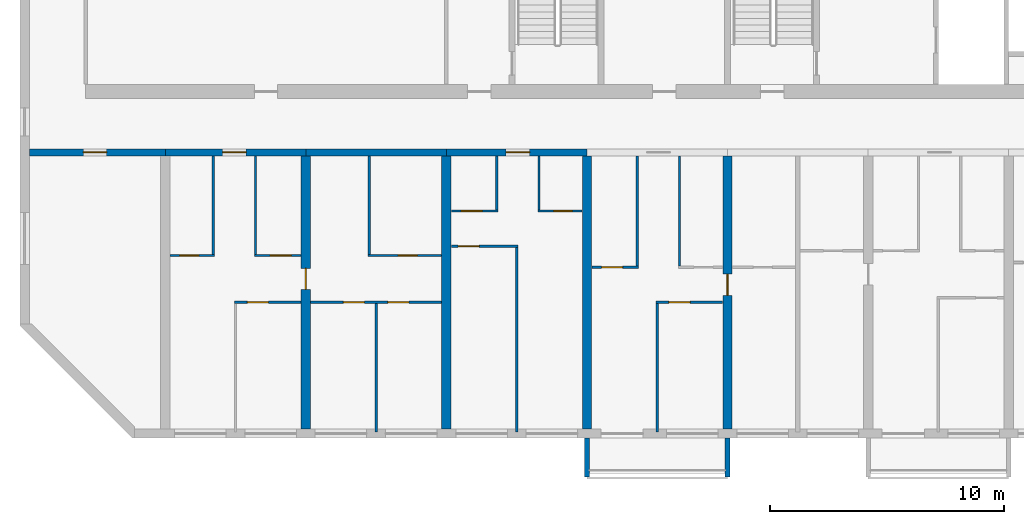
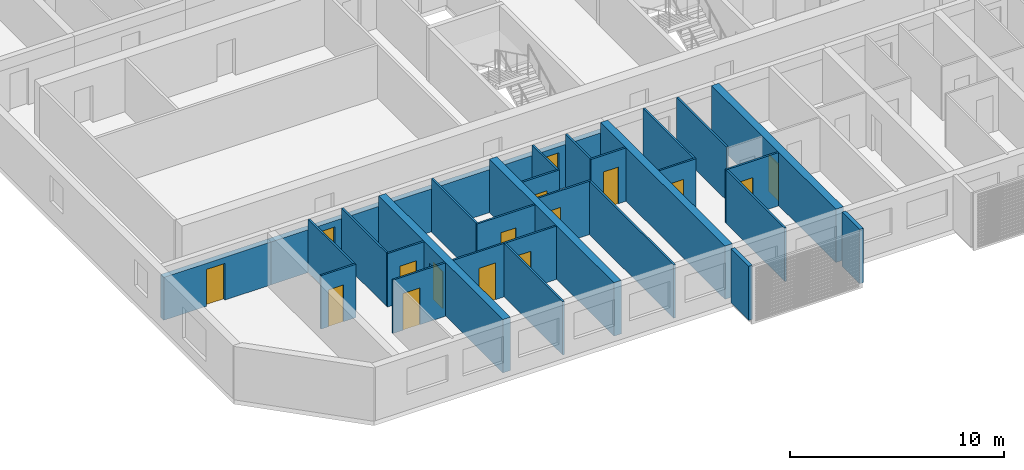
# One storey, part 3 of 44: 30 walls, 16 doors, 16 openings.
"""IFC4 building model written with IfcOpenShell, lengths in metres."""

import ifcopenshell
import ifcopenshell.guid

model = None  # the IFC model being written
_history = None  # IfcOwnerHistory: only IFC2X3 demands one
_inside = {}  # id of a spatial element -> (the spatial element, [elements in it])
_under = {}  # id of a project, library or spatial element -> (it, [spatial elements below it])
_declared = {}  # id of a project -> (the project, [libraries it declares])
_typed = {}  # id of a type object -> (the type object, [elements of that type])
_made_of = {}  # id of a material, layer set ... -> (it, [elements and type objects made of it])


def new_model(schema):
    """Start an empty IFC model of exactly this schema.

    Asked for "IFC4X3", IfcOpenShell would pick the latest addendum, in which some entities
    have other attributes; the version numbers below select the first issue.
    IFC2X3 requires an IfcOwnerHistory on every rooted entity: one is made here for all.
    """
    global model, _history
    if schema == "IFC4X3":
        model = ifcopenshell.file(schema_version=(4, 3, 0, 0))
    else:
        model = ifcopenshell.file(schema=schema)
    _inside.clear()
    _under.clear()
    _declared.clear()
    _typed.clear()
    _made_of.clear()
    _history = None
    if model.schema == "IFC2X3":
        org = make("IfcOrganization", Name="unknown")
        user = make(
            "IfcPersonAndOrganization",
            ThePerson=make("IfcPerson", FamilyName="unknown"),
            TheOrganization=org,
        )
        app = make(
            "IfcApplication",
            ApplicationDeveloper=org,
            Version="unknown",
            ApplicationFullName="unknown",
            ApplicationIdentifier="unknown",
        )
        _history = make(
            "IfcOwnerHistory",
            OwningUser=user,
            OwningApplication=app,
            ChangeAction="ADDED",
            CreationDate=0,
        )
    return model


def make(cls, **values):
    """One entity of the class cls with the attributes given. An attribute that is None is left unset."""
    return model.create_entity(
        cls, **{name: value for name, value in values.items() if value is not None}
    )


def rooted(cls, **values):
    """An entity with a GlobalId (a new one), such as an element, a storey or a relation."""
    return make(cls, GlobalId=ifcopenshell.guid.new(), OwnerHistory=_history, **values)


def si_unit(unit_type, name, prefix=None):
    """IfcSIUnit, for example si_unit("LENGTHUNIT", "METRE", prefix="MILLI")."""
    return make("IfcSIUnit", UnitType=unit_type, Prefix=prefix, Name=name)


def assignment(units):
    """IfcUnitAssignment: the units of a project."""
    return None if units is None else make("IfcUnitAssignment", Units=units)


def point(xyz):
    """IfcCartesianPoint."""
    return None if xyz is None else make("IfcCartesianPoint", Coordinates=xyz)


def direction(xyz):
    """IfcDirection."""
    return None if xyz is None else make("IfcDirection", DirectionRatios=xyz)


def frame(location, z_axis=None, x_axis=None):
    """IfcAxis2Placement3D, a coordinate frame: its origin and axes. An axis left out is left unset."""
    return make(
        "IfcAxis2Placement3D",
        Location=point(location),
        Axis=direction(z_axis),
        RefDirection=direction(x_axis),
    )


def frame_2d(location, x_axis=None):
    """IfcAxis2Placement2D, a coordinate frame in the plane: its origin and x axis."""
    return make(
        "IfcAxis2Placement2D", Location=point(location), RefDirection=direction(x_axis)
    )


def origin():
    """The frame at (0, 0, 0) with its axes left unset."""
    return frame((0.0, 0.0, 0.0))


def place(relative_to, where):
    """IfcLocalPlacement: puts the frame where relative to a parent placement (None: the world)."""
    return make(
        "IfcLocalPlacement", PlacementRelTo=relative_to, RelativePlacement=where
    )


def context(
    kind, dimensions, precision=None, world=None, true_north=None, identifier=None
):
    """IfcGeometricRepresentationContext, for example the 3D "Model" context."""
    return make(
        "IfcGeometricRepresentationContext",
        ContextIdentifier=identifier,
        ContextType=kind,
        CoordinateSpaceDimension=dimensions,
        Precision=precision,
        WorldCoordinateSystem=world,
        TrueNorth=true_north,
    )


def subcontext(parent, identifier, kind, view, scale=None):
    """IfcGeometricRepresentationSubContext, for example "Body" below "Model"."""
    return make(
        "IfcGeometricRepresentationSubContext",
        ContextIdentifier=identifier,
        ContextType=kind,
        ParentContext=parent,
        TargetScale=scale,
        TargetView=view,
    )


def project(units=None, contexts=None):
    """IfcProject with its units and contexts."""
    return rooted(
        "IfcProject",
        Name="project",
        RepresentationContexts=contexts,
        UnitsInContext=assignment(units),
    )


def spatial(cls, under=None, at=None, **own):
    """A site, building, storey or space (cls), placed at a placement, below another one or the project."""
    s = rooted(cls, ObjectPlacement=at, **own)
    if under is not None:
        _under.setdefault(under.id(), (under, []))[1].append(s)
    return s


def polyline(points):
    """IfcPolyline through the points."""
    return make("IfcPolyline", Points=[point(p) for p in points])


def profile(cls, at=None, kind="AREA", **sizes):
    """A parametric profile (cls). Its sizes go by their IFC names, for example OverallWidth=200.0."""
    return make(cls, ProfileType=kind, Position=at, **sizes)


def rectangle(**sizes):
    """IfcRectangleProfileDef."""
    return profile("IfcRectangleProfileDef", **sizes)


def outline(outer, holes=None, kind="AREA"):
    """IfcArbitraryClosedProfileDef: a profile drawn as a closed curve; with holes, ...WithVoids."""
    if holes is None:
        return make("IfcArbitraryClosedProfileDef", ProfileType=kind, OuterCurve=outer)
    return make(
        "IfcArbitraryProfileDefWithVoids",
        ProfileType=kind,
        OuterCurve=outer,
        InnerCurves=holes,
    )


def extrude(swept, where, along, depth):
    """IfcExtrudedAreaSolid: the profile swept, set in the frame where, extruded along a direction by depth."""
    return make(
        "IfcExtrudedAreaSolid",
        SweptArea=swept,
        Position=where,
        ExtrudedDirection=direction(along),
        Depth=depth,
    )


def shape(context_of_items, identifier, shape_type, items):
    """IfcShapeRepresentation: the items that make up one representation, for example the "Body"."""
    return make(
        "IfcShapeRepresentation",
        ContextOfItems=context_of_items,
        RepresentationIdentifier=identifier,
        RepresentationType=shape_type,
        Items=items,
    )


def source(mapping_origin, context_of_items, identifier, shape_type, items):
    """IfcRepresentationMap: a shape defined once, which mapped items show again and again."""
    return make(
        "IfcRepresentationMap",
        MappingOrigin=mapping_origin,
        MappedRepresentation=shape(context_of_items, identifier, shape_type, items),
    )


def transform(
    local_origin,
    x_axis=None,
    y_axis=None,
    z_axis=None,
    scale=None,
    scale2=None,
    scale3=None,
    uniform=True,
):
    """IfcCartesianTransformationOperator3D, or its non-uniform kind. x_axis, y_axis, z_axis: its Axis1, 2, 3."""
    if uniform:
        return make(
            "IfcCartesianTransformationOperator3D",
            Axis1=direction(x_axis),
            Axis2=direction(y_axis),
            LocalOrigin=point(local_origin),
            Scale=scale,
            Axis3=direction(z_axis),
        )
    return make(
        "IfcCartesianTransformationOperator3DnonUniform",
        Axis1=direction(x_axis),
        Axis2=direction(y_axis),
        LocalOrigin=point(local_origin),
        Scale=scale,
        Axis3=direction(z_axis),
        Scale2=scale2,
        Scale3=scale3,
    )


def mapped(mapping_source, mapping_target):
    """IfcMappedItem: shows the shape of a source again, moved by a transform."""
    return make(
        "IfcMappedItem", MappingSource=mapping_source, MappingTarget=mapping_target
    )


def material(Name=None, Category=None):
    """IfcMaterial."""
    return make("IfcMaterial", Name=Name, Category=Category)


def layer(
    of_material, thickness, ventilated=None, Name=None, Category=None, Priority=None
):
    """IfcMaterialLayer: one layer of a wall or slab, of a material (None: an air gap)."""
    return make(
        "IfcMaterialLayer",
        Material=of_material,
        LayerThickness=thickness,
        IsVentilated=ventilated,
        Name=Name,
        Category=Category,
        Priority=Priority,
    )


def layer_set(layers, Name=None):
    """IfcMaterialLayerSet."""
    return make("IfcMaterialLayerSet", MaterialLayers=layers, LayerSetName=Name)


def made_of(thing, what):
    """Note that an element or type object is made of a material, layer set ...; save() writes the relation."""
    if what is not None:
        _made_of.setdefault(what.id(), (what, []))[1].append(thing)
    return thing


def type_object(cls, material=None, **own):
    """A type object (cls), such as IfcWallType, which elements share."""
    return made_of(rooted(cls, **own), material)


def element(
    cls,
    number,
    at=None,
    inside=None,
    cuts=None,
    type_object=None,
    material=None,
    context=None,
    identifier="Body",
    shape_type=None,
    held_by="IfcProductDefinitionShape",
    body=None,
    shapes=None,
    **own,
):
    """One element of the class cls, such as IfcWall. Its Tag is "e" and its number.

    at: its placement. inside: the storey or other place that contains it. cuts: it is an
    opening in that element (IfcRelVoidsElement). A single representation is given by context,
    identifier, shape_type and body (its items); several are given by shapes. held_by: the class
    of the entity that holds the representations. save() writes the other relations.
    """
    e = rooted(cls, Tag="e%d" % number, ObjectPlacement=at, **own)
    if body is not None:
        shapes = [shape(context, identifier, shape_type, body)]
    if shapes is not None:
        e.Representation = make(held_by, Representations=shapes)
    if inside is not None:
        _inside.setdefault(inside.id(), (inside, []))[1].append(e)
    if cuts is not None:
        rooted(
            "IfcRelVoidsElement", RelatingBuildingElement=cuts, RelatedOpeningElement=e
        )
    if type_object is not None:
        _typed.setdefault(type_object.id(), (type_object, []))[1].append(e)
    return made_of(e, material)


def fill(opening, filler):
    """IfcRelFillsElement: the door or window that sits in an opening."""
    return rooted(
        "IfcRelFillsElement",
        RelatingOpeningElement=opening,
        RelatedBuildingElement=filler,
    )


def aggregate(whole, parts):
    """IfcRelAggregates: a whole, such as a stair, and the parts it consists of."""
    return rooted("IfcRelAggregates", RelatingObject=whole, RelatedObjects=parts)


def save(model, path):
    """Write the relations noted so far, then the file.

    IfcRelAggregates (storeys below a building ...), IfcRelContainedInSpatialStructure (elements
    in a storey), IfcRelDefinesByType, IfcRelAssociatesMaterial and IfcRelDeclares: one each for
    every whole, place, type object, material and project.
    """
    for whole, parts in _under.values():
        aggregate(whole, parts)
    for where, things in _inside.values():
        rooted(
            "IfcRelContainedInSpatialStructure",
            RelatedElements=things,
            RelatingStructure=where,
        )
    for kind, things in _typed.values():
        rooted("IfcRelDefinesByType", RelatedObjects=things, RelatingType=kind)
    for what, things in _made_of.values():
        rooted("IfcRelAssociatesMaterial", RelatedObjects=things, RelatingMaterial=what)
    for by, libraries in _declared.values():
        rooted("IfcRelDeclares", RelatingContext=by, RelatedDefinitions=libraries)
    model.write(path)


model = new_model("IFC4")

# Units and contexts
model_context = context("Model", 3, precision=1e-05, world=origin(), true_north=direction((0.0, 1.0)))
body_context = subcontext(model_context, "Body", "Model", "MODEL_VIEW")
ifc_project = project(units=[si_unit("LENGTHUNIT", "METRE"), si_unit("AREAUNIT", "SQUARE_METRE"), si_unit("VOLUMEUNIT", "CUBIC_METRE"), si_unit("PLANEANGLEUNIT", "RADIAN"), si_unit("MASSUNIT", "GRAM", prefix="KILO")], contexts=[model_context])

# Site, building, storey
site_placement = place(None, origin())
site = spatial("IfcSite", under=ifc_project, at=site_placement, CompositionType="ELEMENT")
building_placement = place(site_placement, origin())
building = spatial("IfcBuilding", under=site, at=building_placement, Name="Poui Terraces", CompositionType="ELEMENT")
storey_placement = place(building_placement, frame((0.0, 0.0, 30.0)))
storey = spatial("IfcBuildingStorey", under=building, at=storey_placement, Name="L07", CompositionType="ELEMENT", Elevation=30.0)

# Wall, opening, door
ifc_material_1 = material(Name="Concrete 80 MPa", Category="concrete")
ifc_layer_1 = layer(ifc_material_1, 0.300048828125)
ifc_layer_set_1 = layer_set([ifc_layer_1], Name="Concrete 80 MPa")
wall_type_1 = type_object("IfcWallType", Name="CORRIDOR WALL 300 80MPa", PredefinedType="SHEAR", material=ifc_layer_set_1)
wall_1_placement = place(storey_placement, frame((0.199951171875, 12.0, 0.0), z_axis=(0.0, 0.0, 1.0), x_axis=(1.0, 0.0, 0.0)))
wall_1 = element("IfcWall", 1, at=wall_1_placement, inside=storey, type_object=wall_type_1, Name="CORRIDOR WALL LINE B BAY 1", PredefinedType="SHEAR", context=body_context, shape_type="SweptSolid", body=[
    extrude(rectangle(XDim=5.800048828125, YDim=0.300048828125, at=frame_2d((2.89990234375, 0.0))), origin(), (0.0, 0.0, 1.0), 2.449951171875),
])
opening_1_placement = place(wall_1_placement, frame((2.300048828125, 0.0, 0.0)))
opening_1 = element("IfcOpeningElement", 2, at=opening_1_placement, cuts=wall_1, Name="Opening D100", PredefinedType="OPENING", context=body_context, shape_type="SweptSolid", body=[
    extrude(rectangle(XDim=1.0, YDim=2.10009765625, at=frame_2d((0.5, 1.050048828125))), frame((0.0, 0.16015625, 0.0), z_axis=(0.0, -1.0, 0.0), x_axis=(1.0, 0.0, 0.0)), (0.0, 0.0, 1.0), 0.320068359375),
])
ifc_material_2 = material(Name="Solid core timber door", Category="wood")
door_type_1 = type_object("IfcDoorType", Name="ACCESSIBLE INTERNAL DOOR 1000 X 2100", OperationType="NOTDEFINED", PredefinedType="DOOR", material=ifc_material_2)
door_1_placement = place(opening_1_placement, frame((1.0, 0.0, 0.0), z_axis=(0.0, 0.0, 1.0), x_axis=(-1.0, 0.0, 0.0)))
door_1 = element("IfcDoor", 3, at=door_1_placement, inside=storey, type_object=door_type_1, Name="ACCESSIBLE INTERNAL DOOR 091", OperationType="SINGLE_SWING_RIGHT", OverallHeight=2.10009765625, OverallWidth=1.0, PredefinedType="DOOR", context=body_context, shape_type="SweptSolid", body=[
    extrude(rectangle(XDim=1.0, YDim=2.10009765625, at=frame_2d((0.5, 1.050048828125))), frame((0.0, 0.02490234375, 0.0), z_axis=(0.0, -1.0, 0.0), x_axis=(1.0, 0.0, 0.0)), (0.0, 0.0, 1.0), 0.050048828125),
])
fill(opening_1, door_1)

wall_2_placement = place(storey_placement, frame((6.0, 12.0, 0.0), z_axis=(0.0, 0.0, 1.0), x_axis=(1.0, 0.0, 0.0)))
wall_2 = element("IfcWall", 4, at=wall_2_placement, inside=storey, type_object=wall_type_1, Name="CORRIDOR WALL LINE B BAY 2", PredefinedType="SHEAR", context=body_context, shape_type="SweptSolid", body=[
    extrude(rectangle(XDim=6.0, YDim=0.300048828125, at=frame_2d((3.0, 0.0))), origin(), (0.0, 0.0, 1.0), 2.449951171875),
])
opening_2_placement = place(wall_2_placement, frame((2.449951171875, 0.0, 0.0)))
opening_2 = element("IfcOpeningElement", 5, at=opening_2_placement, cuts=wall_2, Name="Opening FD30S", PredefinedType="OPENING", context=body_context, shape_type="SweptSolid", body=[
    extrude(rectangle(XDim=1.0, YDim=2.10009765625, at=frame_2d((0.5, 1.050048828125))), frame((0.0, 0.16015625, 0.0), z_axis=(0.0, -1.0, 0.0), x_axis=(1.0, 0.0, 0.0)), (0.0, 0.0, 1.0), 0.320068359375),
])
ifc_material_3 = material(Name="Steel fire door", Category="steel")
door_type_2 = type_object("IfcDoorType", Name="FLAT ENTRANCE DOOR 1000 X 2100", OperationType="NOTDEFINED", PredefinedType="DOOR", material=ifc_material_3)
door_2_placement = place(opening_2_placement, frame((1.0, 0.0, 0.0), z_axis=(0.0, 0.0, 1.0), x_axis=(-1.0, 0.0, 0.0)))
door_2 = element("IfcDoor", 6, at=door_2_placement, inside=storey, type_object=door_type_2, Name="FLAT ENTRANCE DOOR 096", OperationType="SINGLE_SWING_RIGHT", OverallHeight=2.10009765625, OverallWidth=1.0, PredefinedType="DOOR", context=body_context, shape_type="SweptSolid", body=[
    extrude(rectangle(XDim=1.0, YDim=2.10009765625, at=frame_2d((0.5, 1.050048828125))), frame((0.0, 0.02490234375, 0.0), z_axis=(0.0, -1.0, 0.0), x_axis=(1.0, 0.0, 0.0)), (0.0, 0.0, 1.0), 0.050048828125),
])
fill(opening_2, door_2)

# Wall
wall_3_placement = place(storey_placement, frame((12.0, 12.0, 0.0), z_axis=(0.0, 0.0, 1.0), x_axis=(1.0, 0.0, 0.0)))
element("IfcWall", 7, at=wall_3_placement, inside=storey, type_object=wall_type_1, Name="CORRIDOR WALL LINE B BAY 3", PredefinedType="SHEAR", context=body_context, shape_type="SweptSolid", body=[
    extrude(rectangle(XDim=6.0, YDim=0.300048828125, at=frame_2d((3.0, 0.0))), origin(), (0.0, 0.0, 1.0), 2.449951171875),
])

# Wall, opening, door
wall_4_placement = place(storey_placement, frame((18.0, 12.0, 0.0), z_axis=(0.0, 0.0, 1.0), x_axis=(1.0, 0.0, 0.0)))
wall_4 = element("IfcWall", 8, at=wall_4_placement, inside=storey, type_object=wall_type_1, Name="CORRIDOR WALL LINE B BAY 4", PredefinedType="SHEAR", context=body_context, shape_type="SweptSolid", body=[
    extrude(rectangle(XDim=6.0, YDim=0.300048828125, at=frame_2d((3.0, 0.0))), origin(), (0.0, 0.0, 1.0), 2.449951171875),
])
opening_3_placement = place(wall_4_placement, frame((2.550048828125, 0.0, 0.0)))
opening_3 = element("IfcOpeningElement", 9, at=opening_3_placement, cuts=wall_4, Name="Opening FD30S", PredefinedType="OPENING", context=body_context, shape_type="SweptSolid", body=[
    extrude(rectangle(XDim=1.0, YDim=2.10009765625, at=frame_2d((0.5, 1.050048828125))), frame((0.0, 0.16015625, 0.0), z_axis=(0.0, -1.0, 0.0), x_axis=(1.0, 0.0, 0.0)), (0.0, 0.0, 1.0), 0.320068359375),
])
door_3_placement = place(opening_3_placement, frame((1.0, 0.0, 0.0), z_axis=(0.0, 0.0, 1.0), x_axis=(-1.0, 0.0, 0.0)))
door_3 = element("IfcDoor", 10, at=door_3_placement, inside=storey, type_object=door_type_2, Name="FLAT ENTRANCE DOOR 102", OperationType="SINGLE_SWING_LEFT", OverallHeight=2.10009765625, OverallWidth=1.0, PredefinedType="DOOR", context=body_context, shape_type="SweptSolid", body=[
    extrude(rectangle(XDim=1.0, YDim=2.10009765625, at=frame_2d((0.5, 1.050048828125))), frame((0.0, 0.02490234375, 0.0), z_axis=(0.0, -1.0, 0.0), x_axis=(1.0, 0.0, 0.0)), (0.0, 0.0, 1.0), 0.050048828125),
])
fill(opening_3, door_3)

ifc_layer_2 = layer(ifc_material_1, 0.39990234375)
ifc_layer_set_2 = layer_set([ifc_layer_2], Name="Concrete 80 MPa")
wall_type_2 = type_object("IfcWallType", Name="CROSS WALL 400 80MPa", PredefinedType="SHEAR", material=ifc_layer_set_2)
wall_5_placement = place(storey_placement, frame((12.0, 0.199951171875, 0.0), z_axis=(0.0, 0.0, 1.0), x_axis=(0.0, 1.0, 0.0)))
wall_5 = element("IfcWall", 11, at=wall_5_placement, inside=storey, type_object=wall_type_2, Name="CROSS WALL LINE 3 SOUTH", PredefinedType="SHEAR", context=body_context, shape_type="SweptSolid", body=[
    extrude(rectangle(XDim=11.650146484375, YDim=0.39990234375, at=frame_2d((5.8251953125, 0.0))), origin(), (0.0, 0.0, 1.0), 3.050048828125),
])
opening_4_placement = place(wall_5_placement, frame((5.949951171875, 0.0, 0.0)))
opening_4 = element("IfcOpeningElement", 12, at=opening_4_placement, cuts=wall_5, Name="Opening D90", PredefinedType="OPENING", context=body_context, shape_type="SweptSolid", body=[
    extrude(rectangle(XDim=0.89990234375, YDim=2.10009765625, at=frame_2d((0.449951171875, 1.050048828125))), frame((0.0, 0.2099609375, 0.0), z_axis=(0.0, -1.0, 0.0), x_axis=(1.0, 0.0, 0.0)), (0.0, 0.0, 1.0), 0.419921875),
])
door_type_3 = type_object("IfcDoorType", Name="INTERNAL DOOR 900 X 2100", OperationType="NOTDEFINED", PredefinedType="DOOR", material=ifc_material_2)
door_4_placement = place(opening_4_placement, origin())
door_4 = element("IfcDoor", 13, at=door_4_placement, inside=storey, type_object=door_type_3, Name="INTERNAL DOOR 099", OperationType="SINGLE_SWING_RIGHT", OverallHeight=2.10009765625, OverallWidth=0.89990234375, PredefinedType="DOOR", context=body_context, shape_type="SweptSolid", body=[
    extrude(rectangle(XDim=0.89990234375, YDim=2.10009765625, at=frame_2d((0.449951171875, 1.050048828125))), frame((0.0, 0.02490234375, 0.0), z_axis=(0.0, -1.0, 0.0), x_axis=(1.0, 0.0, 0.0)), (0.0, 0.0, 1.0), 0.050048828125),
])
fill(opening_4, door_4)

# Walls
for number, where, z_axis, x_axis, name in (
    (14, (18.0, 0.199951171875, 0.0), (0.0, 0.0, 1.0), (0.0, 1.0, 0.0), "CROSS WALL LINE 4 SOUTH"),
    (15, (24.0, 0.199951171875, 0.0), (0.0, 0.0, 1.0), (0.0, 1.0, 0.0), "CROSS WALL LINE 5 SOUTH"),
):
    element("IfcWall", number, at=place(storey_placement, frame(where, z_axis=z_axis, x_axis=x_axis)), inside=storey, type_object=wall_type_2, Name=name, PredefinedType="SHEAR", context=body_context, shape_type="SweptSolid", body=[
        extrude(rectangle(XDim=11.650146484375, YDim=0.39990234375, at=frame_2d((5.8251953125, 0.0))), origin(), (0.0, 0.0, 1.0), 3.050048828125),
    ])

# Wall, opening, door
wall_6_placement = place(storey_placement, frame((30.0, 0.199951171875, 0.0), z_axis=(0.0, 0.0, 1.0), x_axis=(0.0, 1.0, 0.0)))
wall_6 = element("IfcWall", 16, at=wall_6_placement, inside=storey, type_object=wall_type_2, Name="CROSS WALL LINE 6 SOUTH", PredefinedType="SHEAR", context=body_context, shape_type="SweptSolid", body=[
    extrude(rectangle(XDim=11.650146484375, YDim=0.39990234375, at=frame_2d((5.8251953125, 0.0))), origin(), (0.0, 0.0, 1.0), 3.050048828125),
])
opening_5_placement = place(wall_6_placement, frame((5.699951171875, 0.0, 0.0)))
opening_5 = element("IfcOpeningElement", 17, at=opening_5_placement, cuts=wall_6, Name="Opening D90", PredefinedType="OPENING", context=body_context, shape_type="SweptSolid", body=[
    extrude(rectangle(XDim=0.89990234375, YDim=2.10009765625, at=frame_2d((0.449951171875, 1.050048828125))), frame((0.0, 0.2099609375, 0.0), z_axis=(0.0, -1.0, 0.0), x_axis=(1.0, 0.0, 0.0)), (0.0, 0.0, 1.0), 0.419921875),
])
door_5_placement = place(opening_5_placement, frame((0.89990234375, 0.0, 0.0), z_axis=(0.0, 0.0, 1.0), x_axis=(-1.0, 0.0, 0.0)))
door_5 = element("IfcDoor", 18, at=door_5_placement, inside=storey, type_object=door_type_3, Name="INTERNAL DOOR 109", OperationType="SINGLE_SWING_LEFT", OverallHeight=2.10009765625, OverallWidth=0.89990234375, PredefinedType="DOOR", context=body_context, shape_type="SweptSolid", body=[
    extrude(rectangle(XDim=0.89990234375, YDim=2.10009765625, at=frame_2d((0.449951171875, 1.050048828125))), frame((0.0, 0.02490234375, 0.0), z_axis=(0.0, -1.0, 0.0), x_axis=(1.0, 0.0, 0.0)), (0.0, 0.0, 1.0), 0.050048828125),
])
fill(opening_5, door_5)

ifc_material_4 = material(Name="Plasterboard partition")
ifc_layer_3 = layer(ifc_material_4, 0.10009765625)
ifc_layer_set_3 = layer_set([ifc_layer_3], Name="Plasterboard partition")
wall_type_3 = type_object("IfcWallType", Name="FLAT PARTITION 100", PredefinedType="PARTITIONING", material=ifc_layer_set_3)
wall_7_placement = place(storey_placement, frame((8.949951171875, 5.60009765625, 0.0), z_axis=(0.0, 0.0, 1.0), x_axis=(1.0, 0.0, 0.0)))
wall_7 = element("IfcWall", 19, at=wall_7_placement, inside=storey, type_object=wall_type_3, Name="FLAT PARTITION 100", PredefinedType="PARTITIONING", context=body_context, shape_type="SweptSolid", body=[
    extrude(rectangle(XDim=2.840087890625, YDim=0.10009765625, at=frame_2d((1.419921875, 0.0))), origin(), (0.0, 0.0, 1.0), 3.050048828125),
])
opening_6_placement = place(wall_7_placement, frame((0.550048828125, 0.0, 0.0)))
opening_6 = element("IfcOpeningElement", 20, at=opening_6_placement, cuts=wall_7, Name="Opening D90", PredefinedType="OPENING", context=body_context, shape_type="SweptSolid", body=[
    extrude(rectangle(XDim=0.89990234375, YDim=2.10009765625, at=frame_2d((0.449951171875, 1.050048828125))), frame((0.0, 0.06005859375, 0.0), z_axis=(0.0, -1.0, 0.0), x_axis=(1.0, 0.0, 0.0)), (0.0, 0.0, 1.0), 0.1201171875),
])
door_6_placement = place(opening_6_placement, origin())
door_6 = element("IfcDoor", 21, at=door_6_placement, inside=storey, type_object=door_type_3, Name="INTERNAL DOOR 097", OperationType="SINGLE_SWING_RIGHT", OverallHeight=2.10009765625, OverallWidth=0.89990234375, PredefinedType="DOOR", context=body_context, shape_type="SweptSolid", body=[
    extrude(rectangle(XDim=0.89990234375, YDim=2.10009765625, at=frame_2d((0.449951171875, 1.050048828125))), frame((0.0, 0.02490234375, 0.0), z_axis=(0.0, -1.0, 0.0), x_axis=(1.0, 0.0, 0.0)), (0.0, 0.0, 1.0), 0.050048828125),
])
fill(opening_6, door_6)

# Wall, openings, doors
wall_8_placement = place(storey_placement, frame((12.2099609375, 5.60009765625, 0.0), z_axis=(0.0, 0.0, 1.0), x_axis=(1.0, 0.0, 0.0)))
wall_8 = element("IfcWall", 22, at=wall_8_placement, inside=storey, type_object=wall_type_3, Name="FLAT PARTITION 100", PredefinedType="PARTITIONING", context=body_context, shape_type="SweptSolid", body=[
    extrude(rectangle(XDim=5.580078125, YDim=0.10009765625, at=frame_2d((2.7900390625, 0.0))), origin(), (0.0, 0.0, 1.0), 3.050048828125),
])
opening_7_placement = place(wall_8_placement, frame((1.389892578125, 0.0, 0.0)))
opening_7 = element("IfcOpeningElement", 23, at=opening_7_placement, cuts=wall_8, Name="Opening D90", PredefinedType="OPENING", context=body_context, shape_type="SweptSolid", body=[
    extrude(rectangle(XDim=0.89990234375, YDim=2.10009765625, at=frame_2d((0.449951171875, 1.050048828125))), frame((0.0, 0.06005859375, 0.0), z_axis=(0.0, -1.0, 0.0), x_axis=(1.0, 0.0, 0.0)), (0.0, 0.0, 1.0), 0.1201171875),
])
opening_8_placement = place(wall_8_placement, frame((3.2900390625, 0.0, 0.0)))
opening_8 = element("IfcOpeningElement", 24, at=opening_8_placement, cuts=wall_8, Name="Opening D90", PredefinedType="OPENING", context=body_context, shape_type="SweptSolid", body=[
    extrude(rectangle(XDim=0.89990234375, YDim=2.10009765625, at=frame_2d((0.449951171875, 1.050048828125))), frame((0.0, 0.06005859375, 0.0), z_axis=(0.0, -1.0, 0.0), x_axis=(1.0, 0.0, 0.0)), (0.0, 0.0, 1.0), 0.1201171875),
])
door_7_placement = place(opening_7_placement, frame((0.89990234375, 0.0, 0.0), z_axis=(0.0, 0.0, 1.0), x_axis=(-1.0, 0.0, 0.0)))
door_7 = element("IfcDoor", 25, at=door_7_placement, inside=storey, type_object=door_type_3, Name="INTERNAL DOOR 092", OperationType="SINGLE_SWING_LEFT", OverallHeight=2.10009765625, OverallWidth=0.89990234375, PredefinedType="DOOR", context=body_context, shape_type="SweptSolid", body=[
    extrude(rectangle(XDim=0.89990234375, YDim=2.10009765625, at=frame_2d((0.449951171875, 1.050048828125))), frame((0.0, 0.02490234375, 0.0), z_axis=(0.0, -1.0, 0.0), x_axis=(1.0, 0.0, 0.0)), (0.0, 0.0, 1.0), 0.050048828125),
])
fill(opening_7, door_7)
door_8_placement = place(opening_8_placement, frame((0.89990234375, 0.0, 0.0), z_axis=(0.0, 0.0, 1.0), x_axis=(-1.0, 0.0, 0.0)))
door_8 = element("IfcDoor", 26, at=door_8_placement, inside=storey, type_object=door_type_3, Name="INTERNAL DOOR 093", OperationType="SINGLE_SWING_RIGHT", OverallHeight=2.10009765625, OverallWidth=0.89990234375, PredefinedType="DOOR", context=body_context, shape_type="SweptSolid", body=[
    extrude(rectangle(XDim=0.89990234375, YDim=2.10009765625, at=frame_2d((0.449951171875, 1.050048828125))), frame((0.0, 0.02490234375, 0.0), z_axis=(0.0, -1.0, 0.0), x_axis=(1.0, 0.0, 0.0)), (0.0, 0.0, 1.0), 0.050048828125),
])
fill(opening_8, door_8)

# Wall, opening, door
wall_9_placement = place(storey_placement, frame((26.949951171875, 5.60009765625, 0.0), z_axis=(0.0, 0.0, 1.0), x_axis=(1.0, 0.0, 0.0)))
wall_9 = element("IfcWall", 27, at=wall_9_placement, inside=storey, type_object=wall_type_3, Name="FLAT PARTITION 100", PredefinedType="PARTITIONING", context=body_context, shape_type="SweptSolid", body=[
    extrude(rectangle(XDim=2.840087890625, YDim=0.10009765625, at=frame_2d((1.419921875, 0.0))), origin(), (0.0, 0.0, 1.0), 3.050048828125),
])
opening_9_placement = place(wall_9_placement, frame((0.550048828125, 0.0, 0.0)))
opening_9 = element("IfcOpeningElement", 28, at=opening_9_placement, cuts=wall_9, Name="Opening D90", PredefinedType="OPENING", context=body_context, shape_type="SweptSolid", body=[
    extrude(rectangle(XDim=0.89990234375, YDim=2.10009765625, at=frame_2d((0.449951171875, 1.050048828125))), frame((0.0, 0.06005859375, 0.0), z_axis=(0.0, -1.0, 0.0), x_axis=(1.0, 0.0, 0.0)), (0.0, 0.0, 1.0), 0.1201171875),
])
door_9_placement = place(opening_9_placement, origin())
door_9 = element("IfcDoor", 29, at=door_9_placement, inside=storey, type_object=door_type_3, Name="INTERNAL DOOR 107", OperationType="SINGLE_SWING_RIGHT", OverallHeight=2.10009765625, OverallWidth=0.89990234375, PredefinedType="DOOR", context=body_context, shape_type="SweptSolid", body=[
    extrude(rectangle(XDim=0.89990234375, YDim=2.10009765625, at=frame_2d((0.449951171875, 1.050048828125))), frame((0.0, 0.02490234375, 0.0), z_axis=(0.0, -1.0, 0.0), x_axis=(1.0, 0.0, 0.0)), (0.0, 0.0, 1.0), 0.050048828125),
])
fill(opening_9, door_9)

wall_10_placement = place(storey_placement, frame((24.2099609375, 7.10009765625, 0.0), z_axis=(0.0, 0.0, 1.0), x_axis=(1.0, 0.0, 0.0)))
wall_10 = element("IfcWall", 30, at=wall_10_placement, inside=storey, type_object=wall_type_3, Name="FLAT PARTITION 100", PredefinedType="PARTITIONING", context=body_context, shape_type="SweptSolid", body=[
    extrude(rectangle(XDim=1.989990234375, YDim=0.10009765625, at=frame_2d((0.9951171875, 0.0))), origin(), (0.0, 0.0, 1.0), 3.050048828125),
])
opening_10_placement = place(wall_10_placement, frame((0.4150390625, 0.0, 0.0)))
opening_10 = element("IfcOpeningElement", 31, at=opening_10_placement, cuts=wall_10, Name="Opening D90", PredefinedType="OPENING", context=body_context, shape_type="SweptSolid", body=[
    extrude(rectangle(XDim=0.89990234375, YDim=2.10009765625, at=frame_2d((0.449951171875, 1.050048828125))), frame((0.0, 0.06005859375, 0.0), z_axis=(0.0, -1.0, 0.0), x_axis=(1.0, 0.0, 0.0)), (0.0, 0.0, 1.0), 0.1201171875),
])
door_10_placement = place(opening_10_placement, origin())
door_10 = element("IfcDoor", 32, at=door_10_placement, inside=storey, type_object=door_type_3, Name="INTERNAL DOOR 105", OperationType="SINGLE_SWING_RIGHT", OverallHeight=2.10009765625, OverallWidth=0.89990234375, PredefinedType="DOOR", context=body_context, shape_type="SweptSolid", body=[
    extrude(rectangle(XDim=0.89990234375, YDim=2.10009765625, at=frame_2d((0.449951171875, 1.050048828125))), frame((0.0, 0.02490234375, 0.0), z_axis=(0.0, -1.0, 0.0), x_axis=(1.0, 0.0, 0.0)), (0.0, 0.0, 1.0), 0.050048828125),
])
fill(opening_10, door_10)

wall_11_placement = place(storey_placement, frame((6.2099609375, 7.60009765625, 0.0), z_axis=(0.0, 0.0, 1.0), x_axis=(1.0, 0.0, 0.0)))
wall_11 = element("IfcWall", 33, at=wall_11_placement, inside=storey, type_object=wall_type_3, Name="FLAT PARTITION 100", PredefinedType="PARTITIONING", context=body_context, shape_type="SweptSolid", body=[
    extrude(rectangle(XDim=1.89013671875, YDim=0.10009765625, at=frame_2d((0.945068359375, 0.0))), origin(), (0.0, 0.0, 1.0), 3.050048828125),
])
opening_11_placement = place(wall_11_placement, frame((0.4150390625, 0.0, 0.0)))
opening_11 = element("IfcOpeningElement", 34, at=opening_11_placement, cuts=wall_11, Name="Opening D80", PredefinedType="OPENING", context=body_context, shape_type="SweptSolid", body=[
    extrude(rectangle(XDim=0.800048828125, YDim=2.10009765625, at=frame_2d((0.39990234375, 1.050048828125))), frame((0.0, 0.06005859375, 0.0), z_axis=(0.0, -1.0, 0.0), x_axis=(1.0, 0.0, 0.0)), (0.0, 0.0, 1.0), 0.1201171875),
])
door_type_4 = type_object("IfcDoorType", Name="BATHROOM, LAUNDRY AND STORE DOOR 800 X 2100", OperationType="NOTDEFINED", PredefinedType="DOOR", material=ifc_material_2)
door_11_placement = place(opening_11_placement, origin())
door_11 = element("IfcDoor", 35, at=door_11_placement, inside=storey, type_object=door_type_4, Name="BATHROOM, LAUNDRY AND STORE DOOR 095", OperationType="SINGLE_SWING_RIGHT", OverallHeight=2.10009765625, OverallWidth=0.800048828125, PredefinedType="DOOR", context=body_context, shape_type="SweptSolid", body=[
    extrude(rectangle(XDim=0.800048828125, YDim=2.10009765625, at=frame_2d((0.39990234375, 1.050048828125))), frame((0.0, 0.02490234375, 0.0), z_axis=(0.0, -1.0, 0.0), x_axis=(1.0, 0.0, 0.0)), (0.0, 0.0, 1.0), 0.050048828125),
])
fill(opening_11, door_11)

wall_12_placement = place(storey_placement, frame((9.800048828125, 7.60009765625, 0.0), z_axis=(0.0, 0.0, 1.0), x_axis=(1.0, 0.0, 0.0)))
wall_12 = element("IfcWall", 36, at=wall_12_placement, inside=storey, type_object=wall_type_3, Name="FLAT PARTITION 100", PredefinedType="PARTITIONING", context=body_context, shape_type="SweptSolid", body=[
    extrude(rectangle(XDim=1.989990234375, YDim=0.10009765625, at=frame_2d((0.9951171875, 0.0))), origin(), (0.0, 0.0, 1.0), 3.050048828125),
])
opening_12_placement = place(wall_12_placement, frame((0.675048828125, 0.0, 0.0)))
opening_12 = element("IfcOpeningElement", 37, at=opening_12_placement, cuts=wall_12, Name="Opening D90", PredefinedType="OPENING", context=body_context, shape_type="SweptSolid", body=[
    extrude(rectangle(XDim=0.89990234375, YDim=2.10009765625, at=frame_2d((0.449951171875, 1.050048828125))), frame((0.0, 0.06005859375, 0.0), z_axis=(0.0, -1.0, 0.0), x_axis=(1.0, 0.0, 0.0)), (0.0, 0.0, 1.0), 0.1201171875),
])
door_12_placement = place(opening_12_placement, origin())
door_12 = element("IfcDoor", 38, at=door_12_placement, inside=storey, type_object=door_type_3, Name="INTERNAL DOOR 098", OperationType="SINGLE_SWING_LEFT", OverallHeight=2.10009765625, OverallWidth=0.89990234375, PredefinedType="DOOR", context=body_context, shape_type="SweptSolid", body=[
    extrude(rectangle(XDim=0.89990234375, YDim=2.10009765625, at=frame_2d((0.449951171875, 1.050048828125))), frame((0.0, 0.02490234375, 0.0), z_axis=(0.0, -1.0, 0.0), x_axis=(1.0, 0.0, 0.0)), (0.0, 0.0, 1.0), 0.050048828125),
])
fill(opening_12, door_12)

wall_13_placement = place(storey_placement, frame((14.64990234375, 7.60009765625, 0.0), z_axis=(0.0, 0.0, 1.0), x_axis=(1.0, 0.0, 0.0)))
wall_13 = element("IfcWall", 39, at=wall_13_placement, inside=storey, type_object=wall_type_3, Name="FLAT PARTITION 100", PredefinedType="PARTITIONING", context=body_context, shape_type="SweptSolid", body=[
    extrude(rectangle(XDim=3.14013671875, YDim=0.10009765625, at=frame_2d((1.570068359375, 0.0))), origin(), (0.0, 0.0, 1.0), 3.050048828125),
])
opening_13_placement = place(wall_13_placement, frame((1.300048828125, 0.0, 0.0)))
opening_13 = element("IfcOpeningElement", 40, at=opening_13_placement, cuts=wall_13, Name="Opening D80", PredefinedType="OPENING", context=body_context, shape_type="SweptSolid", body=[
    extrude(rectangle(XDim=0.800048828125, YDim=2.10009765625, at=frame_2d((0.39990234375, 1.050048828125))), frame((0.0, 0.06005859375, 0.0), z_axis=(0.0, -1.0, 0.0), x_axis=(1.0, 0.0, 0.0)), (0.0, 0.0, 1.0), 0.1201171875),
])
door_13_placement = place(opening_13_placement, frame((0.800048828125, 0.0, 0.0), z_axis=(0.0, 0.0, 1.0), x_axis=(-1.0, 0.0, 0.0)))
door_13 = element("IfcDoor", 41, at=door_13_placement, inside=storey, type_object=door_type_4, Name="BATHROOM, LAUNDRY AND STORE DOOR 094", OperationType="SINGLE_SWING_RIGHT", OverallHeight=2.10009765625, OverallWidth=0.800048828125, PredefinedType="DOOR", context=body_context, shape_type="SweptSolid", body=[
    extrude(rectangle(XDim=0.800048828125, YDim=2.10009765625, at=frame_2d((0.39990234375, 1.050048828125))), frame((0.0, 0.02490234375, 0.0), z_axis=(0.0, -1.0, 0.0), x_axis=(1.0, 0.0, 0.0)), (0.0, 0.0, 1.0), 0.050048828125),
])
fill(opening_13, door_13)

wall_14_placement = place(storey_placement, frame((18.2099609375, 8.0, 0.0), z_axis=(0.0, 0.0, 1.0), x_axis=(1.0, 0.0, 0.0)))
wall_14 = element("IfcWall", 42, at=wall_14_placement, inside=storey, type_object=wall_type_3, Name="FLAT PARTITION 100", PredefinedType="PARTITIONING", context=body_context, shape_type="SweptSolid", body=[
    extrude(rectangle(XDim=2.840087890625, YDim=0.10009765625, at=frame_2d((1.419921875, 0.0))), origin(), (0.0, 0.0, 1.0), 3.050048828125),
])
opening_14_placement = place(wall_14_placement, frame((0.2900390625, 0.0, 0.0)))
opening_14 = element("IfcOpeningElement", 43, at=opening_14_placement, cuts=wall_14, Name="Opening D90", PredefinedType="OPENING", context=body_context, shape_type="SweptSolid", body=[
    extrude(rectangle(XDim=0.89990234375, YDim=2.10009765625, at=frame_2d((0.449951171875, 1.050048828125))), frame((0.0, 0.06005859375, 0.0), z_axis=(0.0, -1.0, 0.0), x_axis=(1.0, 0.0, 0.0)), (0.0, 0.0, 1.0), 0.1201171875),
])
door_14_placement = place(opening_14_placement, origin())
door_14 = element("IfcDoor", 44, at=door_14_placement, inside=storey, type_object=door_type_3, Name="INTERNAL DOOR 100", OperationType="SINGLE_SWING_RIGHT", OverallHeight=2.10009765625, OverallWidth=0.89990234375, PredefinedType="DOOR", context=body_context, shape_type="SweptSolid", body=[
    extrude(rectangle(XDim=0.89990234375, YDim=2.10009765625, at=frame_2d((0.449951171875, 1.050048828125))), frame((0.0, 0.02490234375, 0.0), z_axis=(0.0, -1.0, 0.0), x_axis=(1.0, 0.0, 0.0)), (0.0, 0.0, 1.0), 0.050048828125),
])
fill(opening_14, door_14)

wall_15_placement = place(storey_placement, frame((18.2099609375, 9.5, 0.0), z_axis=(0.0, 0.0, 1.0), x_axis=(1.0, 0.0, 0.0)))
wall_15 = element("IfcWall", 45, at=wall_15_placement, inside=storey, type_object=wall_type_3, Name="FLAT PARTITION 100", PredefinedType="PARTITIONING", context=body_context, shape_type="SweptSolid", body=[
    extrude(rectangle(XDim=1.989990234375, YDim=0.10009765625, at=frame_2d((0.9951171875, 0.0))), origin(), (0.0, 0.0, 1.0), 3.050048828125),
])
opening_15_placement = place(wall_15_placement, frame((0.4150390625, 0.0, 0.0)))
opening_15 = element("IfcOpeningElement", 46, at=opening_15_placement, cuts=wall_15, Name="Opening D90", PredefinedType="OPENING", context=body_context, shape_type="SweptSolid", body=[
    extrude(rectangle(XDim=0.89990234375, YDim=2.10009765625, at=frame_2d((0.449951171875, 1.050048828125))), frame((0.0, 0.06005859375, 0.0), z_axis=(0.0, -1.0, 0.0), x_axis=(1.0, 0.0, 0.0)), (0.0, 0.0, 1.0), 0.1201171875),
])
door_15_placement = place(opening_15_placement, origin())
door_15 = element("IfcDoor", 47, at=door_15_placement, inside=storey, type_object=door_type_3, Name="INTERNAL DOOR 101", OperationType="SINGLE_SWING_LEFT", OverallHeight=2.10009765625, OverallWidth=0.89990234375, PredefinedType="DOOR", context=body_context, shape_type="SweptSolid", body=[
    extrude(rectangle(XDim=0.89990234375, YDim=2.10009765625, at=frame_2d((0.449951171875, 1.050048828125))), frame((0.0, 0.02490234375, 0.0), z_axis=(0.0, -1.0, 0.0), x_axis=(1.0, 0.0, 0.0)), (0.0, 0.0, 1.0), 0.050048828125),
])
fill(opening_15, door_15)

wall_16_placement = place(storey_placement, frame((21.89990234375, 9.5, 0.0), z_axis=(0.0, 0.0, 1.0), x_axis=(1.0, 0.0, 0.0)))
wall_16 = element("IfcWall", 48, at=wall_16_placement, inside=storey, type_object=wall_type_3, Name="FLAT PARTITION 100", PredefinedType="PARTITIONING", context=body_context, shape_type="SweptSolid", body=[
    extrude(rectangle(XDim=1.89013671875, YDim=0.10009765625, at=frame_2d((0.945068359375, 0.0))), origin(), (0.0, 0.0, 1.0), 3.050048828125),
])
opening_16_placement = place(wall_16_placement, frame((0.675048828125, 0.0, 0.0)))
opening_16 = element("IfcOpeningElement", 49, at=opening_16_placement, cuts=wall_16, Name="Opening D80", PredefinedType="OPENING", context=body_context, shape_type="SweptSolid", body=[
    extrude(rectangle(XDim=0.800048828125, YDim=2.10009765625, at=frame_2d((0.39990234375, 1.050048828125))), frame((0.0, 0.06005859375, 0.0), z_axis=(0.0, -1.0, 0.0), x_axis=(1.0, 0.0, 0.0)), (0.0, 0.0, 1.0), 0.1201171875),
])
door_16_placement = place(opening_16_placement, origin())
door_16 = element("IfcDoor", 50, at=door_16_placement, inside=storey, type_object=door_type_4, Name="BATHROOM, LAUNDRY AND STORE DOOR 103", OperationType="SINGLE_SWING_RIGHT", OverallHeight=2.10009765625, OverallWidth=0.800048828125, PredefinedType="DOOR", context=body_context, shape_type="SweptSolid", body=[
    extrude(rectangle(XDim=0.800048828125, YDim=2.10009765625, at=frame_2d((0.39990234375, 1.050048828125))), frame((0.0, 0.02490234375, 0.0), z_axis=(0.0, -1.0, 0.0), x_axis=(1.0, 0.0, 0.0)), (0.0, 0.0, 1.0), 0.050048828125),
])
fill(opening_16, door_16)

# Walls
for number, where, z_axis, x_axis, name in (
    (51, (8.050048828125, 7.64990234375, 0.0), (0.0, 0.0, 1.0), (0.0, 1.0, 0.0), "FLAT PARTITION 100"),
    (52, (9.85009765625, 7.64990234375, 0.0), (0.0, 0.0, 1.0), (0.0, 1.0, 0.0), "FLAT PARTITION 100"),
    (53, (14.699951171875, 7.64990234375, 0.0), (0.0, 0.0, 1.0), (0.0, 1.0, 0.0), "FLAT PARTITION 100"),
):
    element("IfcWall", number, at=place(storey_placement, frame(where, z_axis=z_axis, x_axis=x_axis)), inside=storey, type_object=wall_type_3, Name=name, PredefinedType="PARTITIONING", context=body_context, shape_type="SweptSolid", body=[
        extrude(rectangle(XDim=4.190185546875, YDim=0.10009765625, at=frame_2d((2.09521484375, 0.0))), origin(), (0.0, 0.0, 1.0), 3.050048828125),
    ])
wall_17_placement = place(storey_placement, frame((15.0, 0.06005859375, 0.0), z_axis=(0.0, 0.0, 1.0), x_axis=(0.0, 1.0, 0.0)))
element("IfcWall", 54, at=wall_17_placement, inside=storey, type_object=wall_type_3, Name="FLAT PARTITION 100", PredefinedType="PARTITIONING", context=body_context, shape_type="SweptSolid", body=[
    extrude(rectangle(XDim=5.489990234375, YDim=0.10009765625, at=frame_2d((2.7451171875, 0.0))), origin(), (0.0, 0.0, 1.0), 3.050048828125),
])
wall_18_placement = place(storey_placement, frame((20.14990234375, 9.550048828125, 0.0), z_axis=(0.0, 0.0, 1.0), x_axis=(0.0, 1.0, 0.0)))
element("IfcWall", 55, at=wall_18_placement, inside=storey, type_object=wall_type_3, Name="FLAT PARTITION 100", PredefinedType="PARTITIONING", context=body_context, shape_type="SweptSolid", body=[
    extrude(rectangle(XDim=2.2900390625, YDim=0.10009765625, at=frame_2d((1.14501953125, 0.0))), origin(), (0.0, 0.0, 1.0), 3.050048828125),
])
wall_19_placement = place(storey_placement, frame((21.0, 0.06005859375, 0.0), z_axis=(0.0, 0.0, 1.0), x_axis=(0.0, 1.0, 0.0)))
element("IfcWall", 56, at=wall_19_placement, inside=storey, type_object=wall_type_3, Name="FLAT PARTITION 100", PredefinedType="PARTITIONING", context=body_context, shape_type="SweptSolid", body=[
    extrude(rectangle(XDim=7.889892578125, YDim=0.10009765625, at=frame_2d((3.94482421875, 0.0))), origin(), (0.0, 0.0, 1.0), 3.050048828125),
])
wall_20_placement = place(storey_placement, frame((21.949951171875, 9.550048828125, 0.0), z_axis=(0.0, 0.0, 1.0), x_axis=(0.0, 1.0, 0.0)))
element("IfcWall", 57, at=wall_20_placement, inside=storey, type_object=wall_type_3, Name="FLAT PARTITION 100", PredefinedType="PARTITIONING", context=body_context, shape_type="SweptSolid", body=[
    extrude(rectangle(XDim=2.2900390625, YDim=0.10009765625, at=frame_2d((1.14501953125, 0.0))), origin(), (0.0, 0.0, 1.0), 3.050048828125),
])
wall_21_placement = place(storey_placement, frame((26.14990234375, 7.14990234375, 0.0), z_axis=(0.0, 0.0, 1.0), x_axis=(0.0, 1.0, 0.0)))
element("IfcWall", 58, at=wall_21_placement, inside=storey, type_object=wall_type_3, Name="FLAT PARTITION 100", PredefinedType="PARTITIONING", context=body_context, shape_type="SweptSolid", body=[
    extrude(rectangle(XDim=4.690185546875, YDim=0.10009765625, at=frame_2d((2.34521484375, 0.0))), origin(), (0.0, 0.0, 1.0), 3.050048828125),
])
wall_22_placement = place(storey_placement, frame((27.0, 0.06005859375, 0.0), z_axis=(0.0, 0.0, 1.0), x_axis=(0.0, 1.0, 0.0)))
element("IfcWall", 59, at=wall_22_placement, inside=storey, type_object=wall_type_3, Name="FLAT PARTITION 100", PredefinedType="PARTITIONING", context=body_context, shape_type="SweptSolid", body=[
    extrude(rectangle(XDim=5.489990234375, YDim=0.10009765625, at=frame_2d((2.7451171875, 0.0))), origin(), (0.0, 0.0, 1.0), 3.050048828125),
])
wall_23_placement = place(storey_placement, frame((27.949951171875, 7.14990234375, 0.0), z_axis=(0.0, 0.0, 1.0), x_axis=(0.0, 1.0, 0.0)))
element("IfcWall", 60, at=wall_23_placement, inside=storey, type_object=wall_type_3, Name="FLAT PARTITION 100", PredefinedType="PARTITIONING", context=body_context, shape_type="SweptSolid", body=[
    extrude(rectangle(XDim=4.690185546875, YDim=0.10009765625, at=frame_2d((2.34521484375, 0.0))), origin(), (0.0, 0.0, 1.0), 3.050048828125),
])
ifc_material_5 = material(Name="Precast concrete 40 MPa", Category="concrete")
ifc_layer_4 = layer(ifc_material_5, 0.199951171875)
ifc_layer_set_4 = layer_set([ifc_layer_4], Name="Precast concrete 40 MPa")
wall_type_4 = type_object("IfcWallType", Name="REAR FIN 200", PredefinedType="STANDARD", material=ifc_layer_set_4)
shared_shape = source(origin(), body_context, "Body", "SweptSolid", [
    extrude(outline(polyline([(0.0, 0.0), (0.2001953125, 0.0), (0.2001953125, 1.650146484375), (0.0, 1.650146484375), (0.0, 0.0)])), origin(), (0.0, 0.0, 1.0), 3.10009765625),
])
for number, where, name in (
    (61, (23.89990234375, -1.85009765625, 0.0), "REAR FIN"),
    (62, (29.89990234375, -1.85009765625, 0.0), "REAR FIN"),
):
    element("IfcWall", number, at=place(storey_placement, frame(where)), inside=storey, type_object=wall_type_4, Name=name, PredefinedType="STANDARD", context=body_context, shape_type="MappedRepresentation", body=[
        mapped(shared_shape, transform((0.0, 0.0, 0.0))),
    ])

save(model, "model.ifc")
